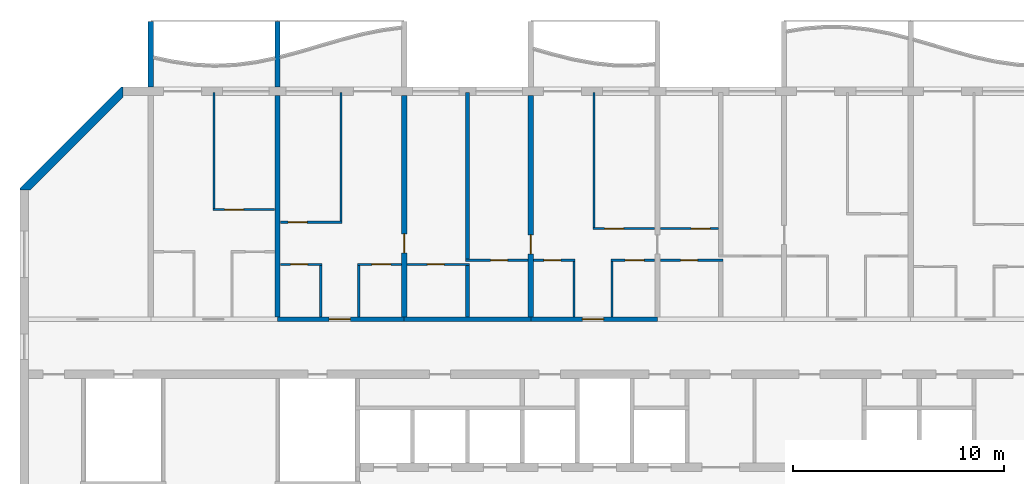
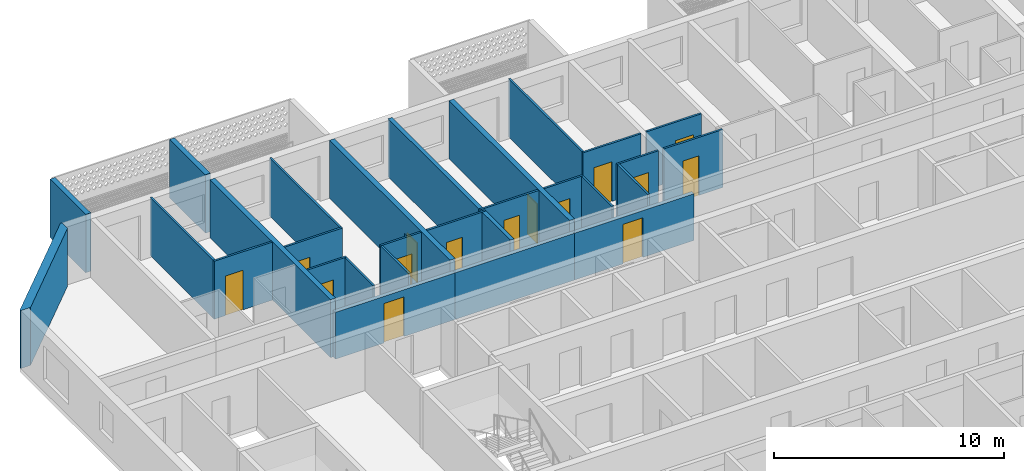
# One storey, part 8 of 28: 29 walls, 15 doors, 15 openings.
"""IFC4 building model written with IfcOpenShell, lengths in metres."""

from ifc_helpers import new_model, si_unit, direction, frame, frame_2d, origin, place, context, subcontext, project, spatial, polyline, rectangle, outline, extrude, source, transform, mapped, material, layer, layer_set, type_object, element, fill, save


model = new_model("IFC4")

# Units and contexts
model_context = context("Model", 3, precision=1e-05, world=origin(), true_north=direction((0.0, 1.0)))
body_context = subcontext(model_context, "Body", "Model", "MODEL_VIEW")
ifc_project = project(units=[si_unit("LENGTHUNIT", "METRE"), si_unit("AREAUNIT", "SQUARE_METRE"), si_unit("VOLUMEUNIT", "CUBIC_METRE"), si_unit("PLANEANGLEUNIT", "RADIAN"), si_unit("MASSUNIT", "GRAM", prefix="KILO")], contexts=[model_context])

# Site, building, storey
site_placement = place(None, origin())
site = spatial("IfcSite", under=ifc_project, at=site_placement, CompositionType="ELEMENT")
building_placement = place(site_placement, origin())
building = spatial("IfcBuilding", under=site, at=building_placement, Name="Poui Terraces", CompositionType="ELEMENT")
storey_placement = place(building_placement, frame((0.0, 0.0, 188.39990234375)))
storey = spatial("IfcBuildingStorey", under=building, at=storey_placement, Name="L52", CompositionType="ELEMENT", Elevation=188.39990234375)

# Wall, opening, door
ifc_material_1 = material(Name="Concrete 50 MPa", Category="concrete")
ifc_layer_1 = layer(ifc_material_1, 0.199951171875)
ifc_layer_set_1 = layer_set([ifc_layer_1], Name="Concrete 50 MPa")
wall_type_1 = type_object("IfcWallType", Name="CORRIDOR WALL 200 50MPa", PredefinedType="SHEAR", material=ifc_layer_set_1)
wall_1_placement = place(storey_placement, frame((30.0, 30.39990234375, 0.0), z_axis=(0.0, 0.0, 1.0), x_axis=(1.0, 0.0, 0.0)))
wall_1 = element("IfcWall", 1, at=wall_1_placement, inside=storey, type_object=wall_type_1, Name="CORRIDOR WALL LINE E BAY 3", PredefinedType="SHEAR", context=body_context, shape_type="SweptSolid", body=[
    extrude(rectangle(XDim=6.0, YDim=0.199951171875, at=frame_2d((3.0, 0.0))), origin(), (0.0, 0.0, 1.0), 2.47998046875),
])
opening_1_placement = place(wall_1_placement, frame((2.449951171875, 0.0, 0.0)))
opening_1 = element("IfcOpeningElement", 2, at=opening_1_placement, cuts=wall_1, Name="Opening FD30S", PredefinedType="OPENING", context=body_context, shape_type="SweptSolid", body=[
    extrude(rectangle(XDim=1.0, YDim=2.10009765625, at=frame_2d((0.5, 1.050048828125))), frame((0.0, 0.10986328125, 0.0), z_axis=(0.0, -1.0, 0.0), x_axis=(1.0, 0.0, 0.0)), (0.0, 0.0, 1.0), 0.219970703125),
])
ifc_material_2 = material(Name="Steel fire door", Category="steel")
door_type_1 = type_object("IfcDoorType", Name="FLAT ENTRANCE DOOR 1000 X 2100", OperationType="NOTDEFINED", PredefinedType="DOOR", material=ifc_material_2)
door_1_placement = place(opening_1_placement, origin())
door_1 = element("IfcDoor", 3, at=door_1_placement, inside=storey, type_object=door_type_1, Name="FLAT ENTRANCE DOOR 034", OperationType="SINGLE_SWING_LEFT", OverallHeight=2.10009765625, OverallWidth=1.0, PredefinedType="DOOR", context=body_context, shape_type="SweptSolid", body=[
    extrude(rectangle(XDim=1.0, YDim=2.10009765625, at=frame_2d((0.5, 1.050048828125))), frame((0.0, 0.02490234375, 0.0), z_axis=(0.0, -1.0, 0.0), x_axis=(1.0, 0.0, 0.0)), (0.0, 0.0, 1.0), 0.050048828125),
])
fill(opening_1, door_1)

# Wall
wall_2_placement = place(storey_placement, frame((36.0, 30.39990234375, 0.0), z_axis=(0.0, 0.0, 1.0), x_axis=(1.0, 0.0, 0.0)))
element("IfcWall", 4, at=wall_2_placement, inside=storey, type_object=wall_type_1, Name="CORRIDOR WALL LINE E BAY 4", PredefinedType="SHEAR", context=body_context, shape_type="SweptSolid", body=[
    extrude(rectangle(XDim=6.0, YDim=0.199951171875, at=frame_2d((3.0, 0.0))), origin(), (0.0, 0.0, 1.0), 2.47998046875),
])

# Wall, opening, door
wall_3_placement = place(storey_placement, frame((42.0, 30.39990234375, 0.0), z_axis=(0.0, 0.0, 1.0), x_axis=(1.0, 0.0, 0.0)))
wall_3 = element("IfcWall", 5, at=wall_3_placement, inside=storey, type_object=wall_type_1, Name="CORRIDOR WALL LINE E BAY 5", PredefinedType="SHEAR", context=body_context, shape_type="SweptSolid", body=[
    extrude(rectangle(XDim=6.0, YDim=0.199951171875, at=frame_2d((3.0, 0.0))), origin(), (0.0, 0.0, 1.0), 2.47998046875),
])
opening_2_placement = place(wall_3_placement, frame((2.449951171875, 0.0, 0.0)))
opening_2 = element("IfcOpeningElement", 6, at=opening_2_placement, cuts=wall_3, Name="Opening FD30S", PredefinedType="OPENING", context=body_context, shape_type="SweptSolid", body=[
    extrude(rectangle(XDim=1.0, YDim=2.10009765625, at=frame_2d((0.5, 1.050048828125))), frame((0.0, 0.10986328125, 0.0), z_axis=(0.0, -1.0, 0.0), x_axis=(1.0, 0.0, 0.0)), (0.0, 0.0, 1.0), 0.219970703125),
])
door_2_placement = place(opening_2_placement, origin())
door_2 = element("IfcDoor", 7, at=door_2_placement, inside=storey, type_object=door_type_1, Name="FLAT ENTRANCE DOOR 042", OperationType="SINGLE_SWING_LEFT", OverallHeight=2.10009765625, OverallWidth=1.0, PredefinedType="DOOR", context=body_context, shape_type="SweptSolid", body=[
    extrude(rectangle(XDim=1.0, YDim=2.10009765625, at=frame_2d((0.5, 1.050048828125))), frame((0.0, 0.02490234375, 0.0), z_axis=(0.0, -1.0, 0.0), x_axis=(1.0, 0.0, 0.0)), (0.0, 0.0, 1.0), 0.050048828125),
])
fill(opening_2, door_2)

# Wall
ifc_layer_2 = layer(ifc_material_1, 0.25)
ifc_layer_set_2 = layer_set([ifc_layer_2], Name="Concrete 50 MPa")
wall_type_2 = type_object("IfcWallType", Name="CROSS WALL 250 50MPa", PredefinedType="SHEAR", material=ifc_layer_set_2)
wall_4_placement = place(storey_placement, frame((30.0, 30.5, 0.0), z_axis=(0.0, 0.0, 1.0), x_axis=(0.0, 1.0, 0.0)))
element("IfcWall", 8, at=wall_4_placement, inside=storey, type_object=wall_type_2, Name="CROSS WALL LINE 6 NORTH", PredefinedType="SHEAR", context=body_context, shape_type="SweptSolid", body=[
    extrude(rectangle(XDim=10.5, YDim=0.25, at=frame_2d((5.25, 0.0))), origin(), (0.0, 0.0, 1.0), 3.080078125),
])

# Wall, opening, door
wall_5_placement = place(storey_placement, frame((36.0, 30.5, 0.0), z_axis=(0.0, 0.0, 1.0), x_axis=(0.0, 1.0, 0.0)))
wall_5 = element("IfcWall", 9, at=wall_5_placement, inside=storey, type_object=wall_type_2, Name="CROSS WALL LINE 7 NORTH", PredefinedType="SHEAR", context=body_context, shape_type="SweptSolid", body=[
    extrude(rectangle(XDim=10.5, YDim=0.25, at=frame_2d((5.25, 0.0))), origin(), (0.0, 0.0, 1.0), 3.080078125),
])
opening_3_placement = place(wall_5_placement, frame((3.050048828125, 0.0, 0.0)))
opening_3 = element("IfcOpeningElement", 10, at=opening_3_placement, cuts=wall_5, Name="Opening D90", PredefinedType="OPENING", context=body_context, shape_type="SweptSolid", body=[
    extrude(rectangle(XDim=0.89990234375, YDim=2.10009765625, at=frame_2d((0.449951171875, 1.050048828125))), frame((0.0, 0.135009765625, 0.0), z_axis=(0.0, -1.0, 0.0), x_axis=(1.0, 0.0, 0.0)), (0.0, 0.0, 1.0), 0.27001953125),
])
ifc_material_3 = material(Name="Solid core timber door", Category="wood")
door_type_2 = type_object("IfcDoorType", Name="INTERNAL DOOR 900 X 2100", OperationType="NOTDEFINED", PredefinedType="DOOR", material=ifc_material_3)
door_3_placement = place(opening_3_placement, frame((0.89990234375, 0.0, 0.0), z_axis=(0.0, 0.0, 1.0), x_axis=(-1.0, 0.0, 0.0)))
door_3 = element("IfcDoor", 11, at=door_3_placement, inside=storey, type_object=door_type_2, Name="INTERNAL DOOR 036", OperationType="SINGLE_SWING_RIGHT", OverallHeight=2.10009765625, OverallWidth=0.89990234375, PredefinedType="DOOR", context=body_context, shape_type="SweptSolid", body=[
    extrude(rectangle(XDim=0.89990234375, YDim=2.10009765625, at=frame_2d((0.449951171875, 1.050048828125))), frame((0.0, 0.02490234375, 0.0), z_axis=(0.0, -1.0, 0.0), x_axis=(1.0, 0.0, 0.0)), (0.0, 0.0, 1.0), 0.050048828125),
])
fill(opening_3, door_3)

wall_6_placement = place(storey_placement, frame((42.0, 30.5, 0.0), z_axis=(0.0, 0.0, 1.0), x_axis=(0.0, 1.0, 0.0)))
wall_6 = element("IfcWall", 12, at=wall_6_placement, inside=storey, type_object=wall_type_2, Name="CROSS WALL LINE 8 NORTH", PredefinedType="SHEAR", context=body_context, shape_type="SweptSolid", body=[
    extrude(rectangle(XDim=10.5, YDim=0.25, at=frame_2d((5.25, 0.0))), origin(), (0.0, 0.0, 1.0), 3.080078125),
])
opening_4_placement = place(wall_6_placement, frame((3.0, 0.0, 0.0)))
opening_4 = element("IfcOpeningElement", 13, at=opening_4_placement, cuts=wall_6, Name="Opening D90", PredefinedType="OPENING", context=body_context, shape_type="SweptSolid", body=[
    extrude(rectangle(XDim=0.89990234375, YDim=2.10009765625, at=frame_2d((0.449951171875, 1.050048828125))), frame((0.0, 0.135009765625, 0.0), z_axis=(0.0, -1.0, 0.0), x_axis=(1.0, 0.0, 0.0)), (0.0, 0.0, 1.0), 0.27001953125),
])
door_4_placement = place(opening_4_placement, origin())
door_4 = element("IfcDoor", 14, at=door_4_placement, inside=storey, type_object=door_type_2, Name="INTERNAL DOOR 040", OperationType="SINGLE_SWING_LEFT", OverallHeight=2.10009765625, OverallWidth=0.89990234375, PredefinedType="DOOR", context=body_context, shape_type="SweptSolid", body=[
    extrude(rectangle(XDim=0.89990234375, YDim=2.10009765625, at=frame_2d((0.449951171875, 1.050048828125))), frame((0.0, 0.02490234375, 0.0), z_axis=(0.0, -1.0, 0.0), x_axis=(1.0, 0.0, 0.0)), (0.0, 0.0, 1.0), 0.050048828125),
])
fill(opening_4, door_4)

ifc_material_4 = material(Name="Plasterboard partition")
ifc_layer_3 = layer(ifc_material_4, 0.10009765625)
ifc_layer_set_3 = layer_set([ifc_layer_3], Name="Plasterboard partition")
wall_type_3 = type_object("IfcWallType", Name="FLAT PARTITION 100", PredefinedType="PARTITIONING", material=ifc_layer_set_3)
wall_7_placement = place(storey_placement, frame((30.135009765625, 33.0, 0.0), z_axis=(0.0, 0.0, 1.0), x_axis=(1.0, 0.0, 0.0)))
wall_7 = element("IfcWall", 15, at=wall_7_placement, inside=storey, type_object=wall_type_3, Name="FLAT PARTITION 100", PredefinedType="PARTITIONING", context=body_context, shape_type="SweptSolid", body=[
    extrude(rectangle(XDim=1.965087890625, YDim=0.10009765625, at=frame_2d((0.982421875, 0.0))), origin(), (0.0, 0.0, 1.0), 3.080078125),
])
opening_5_placement = place(wall_7_placement, frame((0.489990234375, 0.0, 0.0)))
opening_5 = element("IfcOpeningElement", 16, at=opening_5_placement, cuts=wall_7, Name="Opening D80", PredefinedType="OPENING", context=body_context, shape_type="SweptSolid", body=[
    extrude(rectangle(XDim=0.800048828125, YDim=2.10009765625, at=frame_2d((0.39990234375, 1.050048828125))), frame((0.0, 0.06005859375, 0.0), z_axis=(0.0, -1.0, 0.0), x_axis=(1.0, 0.0, 0.0)), (0.0, 0.0, 1.0), 0.1201171875),
])
door_type_3 = type_object("IfcDoorType", Name="BATHROOM, LAUNDRY AND STORE DOOR 800 X 2100", OperationType="NOTDEFINED", PredefinedType="DOOR", material=ifc_material_3)
door_5_placement = place(opening_5_placement, frame((0.800048828125, 0.0, 0.0), z_axis=(0.0, 0.0, 1.0), x_axis=(-1.0, 0.0, 0.0)))
door_5 = element("IfcDoor", 17, at=door_5_placement, inside=storey, type_object=door_type_3, Name="BATHROOM, LAUNDRY AND STORE DOOR 033", OperationType="SINGLE_SWING_RIGHT", OverallHeight=2.10009765625, OverallWidth=0.800048828125, PredefinedType="DOOR", context=body_context, shape_type="SweptSolid", body=[
    extrude(rectangle(XDim=0.800048828125, YDim=2.10009765625, at=frame_2d((0.39990234375, 1.050048828125))), frame((0.0, 0.02490234375, 0.0), z_axis=(0.0, -1.0, 0.0), x_axis=(1.0, 0.0, 0.0)), (0.0, 0.0, 1.0), 0.050048828125),
])
fill(opening_5, door_5)

wall_8_placement = place(storey_placement, frame((33.800048828125, 33.0, 0.0), z_axis=(0.0, 0.0, 1.0), x_axis=(1.0, 0.0, 0.0)))
wall_8 = element("IfcWall", 18, at=wall_8_placement, inside=storey, type_object=wall_type_3, Name="FLAT PARTITION 100", PredefinedType="PARTITIONING", context=body_context, shape_type="SweptSolid", body=[
    extrude(rectangle(XDim=2.06494140625, YDim=0.10009765625, at=frame_2d((1.032470703125, 0.0))), origin(), (0.0, 0.0, 1.0), 3.080078125),
])
opening_6_placement = place(wall_8_placement, frame((0.675048828125, 0.0, 0.0)))
opening_6 = element("IfcOpeningElement", 19, at=opening_6_placement, cuts=wall_8, Name="Opening D90", PredefinedType="OPENING", context=body_context, shape_type="SweptSolid", body=[
    extrude(rectangle(XDim=0.89990234375, YDim=2.10009765625, at=frame_2d((0.449951171875, 1.050048828125))), frame((0.0, 0.06005859375, 0.0), z_axis=(0.0, -1.0, 0.0), x_axis=(1.0, 0.0, 0.0)), (0.0, 0.0, 1.0), 0.1201171875),
])
door_6_placement = place(opening_6_placement, frame((0.89990234375, 0.0, 0.0), z_axis=(0.0, 0.0, 1.0), x_axis=(-1.0, 0.0, 0.0)))
door_6 = element("IfcDoor", 20, at=door_6_placement, inside=storey, type_object=door_type_2, Name="INTERNAL DOOR 035", OperationType="SINGLE_SWING_LEFT", OverallHeight=2.10009765625, OverallWidth=0.89990234375, PredefinedType="DOOR", context=body_context, shape_type="SweptSolid", body=[
    extrude(rectangle(XDim=0.89990234375, YDim=2.10009765625, at=frame_2d((0.449951171875, 1.050048828125))), frame((0.0, 0.02490234375, 0.0), z_axis=(0.0, -1.0, 0.0), x_axis=(1.0, 0.0, 0.0)), (0.0, 0.0, 1.0), 0.050048828125),
])
fill(opening_6, door_6)

wall_9_placement = place(storey_placement, frame((36.135009765625, 33.0, 0.0), z_axis=(0.0, 0.0, 1.0), x_axis=(1.0, 0.0, 0.0)))
wall_9 = element("IfcWall", 21, at=wall_9_placement, inside=storey, type_object=wall_type_3, Name="FLAT PARTITION 100", PredefinedType="PARTITIONING", context=body_context, shape_type="SweptSolid", body=[
    extrude(rectangle(XDim=2.965087890625, YDim=0.10009765625, at=frame_2d((1.482421875, 0.0))), origin(), (0.0, 0.0, 1.0), 3.080078125),
])
opening_7_placement = place(wall_9_placement, frame((0.965087890625, 0.0, 0.0)))
opening_7 = element("IfcOpeningElement", 22, at=opening_7_placement, cuts=wall_9, Name="Opening D80", PredefinedType="OPENING", context=body_context, shape_type="SweptSolid", body=[
    extrude(rectangle(XDim=0.800048828125, YDim=2.10009765625, at=frame_2d((0.39990234375, 1.050048828125))), frame((0.0, 0.06005859375, 0.0), z_axis=(0.0, -1.0, 0.0), x_axis=(1.0, 0.0, 0.0)), (0.0, 0.0, 1.0), 0.1201171875),
])
door_7_placement = place(opening_7_placement, frame((0.800048828125, 0.0, 0.0), z_axis=(0.0, 0.0, 1.0), x_axis=(-1.0, 0.0, 0.0)))
door_7 = element("IfcDoor", 23, at=door_7_placement, inside=storey, type_object=door_type_3, Name="BATHROOM, LAUNDRY AND STORE DOOR 031", OperationType="SINGLE_SWING_RIGHT", OverallHeight=2.10009765625, OverallWidth=0.800048828125, PredefinedType="DOOR", context=body_context, shape_type="SweptSolid", body=[
    extrude(rectangle(XDim=0.800048828125, YDim=2.10009765625, at=frame_2d((0.39990234375, 1.050048828125))), frame((0.0, 0.02490234375, 0.0), z_axis=(0.0, -1.0, 0.0), x_axis=(1.0, 0.0, 0.0)), (0.0, 0.0, 1.0), 0.050048828125),
])
fill(opening_7, door_7)

wall_10_placement = place(storey_placement, frame((38.89990234375, 33.199951171875, 0.0), z_axis=(0.0, 0.0, 1.0), x_axis=(1.0, 0.0, 0.0)))
wall_10 = element("IfcWall", 24, at=wall_10_placement, inside=storey, type_object=wall_type_3, Name="FLAT PARTITION 100", PredefinedType="PARTITIONING", context=body_context, shape_type="SweptSolid", body=[
    extrude(rectangle(XDim=2.965087890625, YDim=0.10009765625, at=frame_2d((1.482421875, 0.0))), origin(), (0.0, 0.0, 1.0), 3.080078125),
])
opening_8_placement = place(wall_10_placement, frame((1.199951171875, 0.0, 0.0)))
opening_8 = element("IfcOpeningElement", 25, at=opening_8_placement, cuts=wall_10, Name="Opening D80", PredefinedType="OPENING", context=body_context, shape_type="SweptSolid", body=[
    extrude(rectangle(XDim=0.800048828125, YDim=2.10009765625, at=frame_2d((0.39990234375, 1.050048828125))), frame((0.0, 0.06005859375, 0.0), z_axis=(0.0, -1.0, 0.0), x_axis=(1.0, 0.0, 0.0)), (0.0, 0.0, 1.0), 0.1201171875),
])
door_8_placement = place(opening_8_placement, frame((0.800048828125, 0.0, 0.0), z_axis=(0.0, 0.0, 1.0), x_axis=(-1.0, 0.0, 0.0)))
door_8 = element("IfcDoor", 26, at=door_8_placement, inside=storey, type_object=door_type_3, Name="BATHROOM, LAUNDRY AND STORE DOOR 037", OperationType="SINGLE_SWING_LEFT", OverallHeight=2.10009765625, OverallWidth=0.800048828125, PredefinedType="DOOR", context=body_context, shape_type="SweptSolid", body=[
    extrude(rectangle(XDim=0.800048828125, YDim=2.10009765625, at=frame_2d((0.39990234375, 1.050048828125))), frame((0.0, 0.02490234375, 0.0), z_axis=(0.0, -1.0, 0.0), x_axis=(1.0, 0.0, 0.0)), (0.0, 0.0, 1.0), 0.050048828125),
])
fill(opening_8, door_8)

wall_11_placement = place(storey_placement, frame((42.135009765625, 33.199951171875, 0.0), z_axis=(0.0, 0.0, 1.0), x_axis=(1.0, 0.0, 0.0)))
wall_11 = element("IfcWall", 27, at=wall_11_placement, inside=storey, type_object=wall_type_3, Name="FLAT PARTITION 100", PredefinedType="PARTITIONING", context=body_context, shape_type="SweptSolid", body=[
    extrude(rectangle(XDim=1.965087890625, YDim=0.10009765625, at=frame_2d((0.982421875, 0.0))), origin(), (0.0, 0.0, 1.0), 3.080078125),
])
opening_9_placement = place(wall_11_placement, frame((0.489990234375, 0.0, 0.0)))
opening_9 = element("IfcOpeningElement", 28, at=opening_9_placement, cuts=wall_11, Name="Opening D80", PredefinedType="OPENING", context=body_context, shape_type="SweptSolid", body=[
    extrude(rectangle(XDim=0.800048828125, YDim=2.10009765625, at=frame_2d((0.39990234375, 1.050048828125))), frame((0.0, 0.06005859375, 0.0), z_axis=(0.0, -1.0, 0.0), x_axis=(1.0, 0.0, 0.0)), (0.0, 0.0, 1.0), 0.1201171875),
])
door_9_placement = place(opening_9_placement, frame((0.800048828125, 0.0, 0.0), z_axis=(0.0, 0.0, 1.0), x_axis=(-1.0, 0.0, 0.0)))
door_9 = element("IfcDoor", 29, at=door_9_placement, inside=storey, type_object=door_type_3, Name="BATHROOM, LAUNDRY AND STORE DOOR 041", OperationType="SINGLE_SWING_LEFT", OverallHeight=2.10009765625, OverallWidth=0.800048828125, PredefinedType="DOOR", context=body_context, shape_type="SweptSolid", body=[
    extrude(rectangle(XDim=0.800048828125, YDim=2.10009765625, at=frame_2d((0.39990234375, 1.050048828125))), frame((0.0, 0.02490234375, 0.0), z_axis=(0.0, -1.0, 0.0), x_axis=(1.0, 0.0, 0.0)), (0.0, 0.0, 1.0), 0.050048828125),
])
fill(opening_9, door_9)

wall_12_placement = place(storey_placement, frame((45.800048828125, 33.199951171875, 0.0), z_axis=(0.0, 0.0, 1.0), x_axis=(1.0, 0.0, 0.0)))
wall_12 = element("IfcWall", 30, at=wall_12_placement, inside=storey, type_object=wall_type_3, Name="FLAT PARTITION 100", PredefinedType="PARTITIONING", context=body_context, shape_type="SweptSolid", body=[
    extrude(rectangle(XDim=2.06494140625, YDim=0.10009765625, at=frame_2d((1.032470703125, 0.0))), origin(), (0.0, 0.0, 1.0), 3.080078125),
])
opening_10_placement = place(wall_12_placement, frame((0.675048828125, 0.0, 0.0)))
opening_10 = element("IfcOpeningElement", 31, at=opening_10_placement, cuts=wall_12, Name="Opening D90", PredefinedType="OPENING", context=body_context, shape_type="SweptSolid", body=[
    extrude(rectangle(XDim=0.89990234375, YDim=2.10009765625, at=frame_2d((0.449951171875, 1.050048828125))), frame((0.0, 0.06005859375, 0.0), z_axis=(0.0, -1.0, 0.0), x_axis=(1.0, 0.0, 0.0)), (0.0, 0.0, 1.0), 0.1201171875),
])
door_10_placement = place(opening_10_placement, frame((0.89990234375, 0.0, 0.0), z_axis=(0.0, 0.0, 1.0), x_axis=(-1.0, 0.0, 0.0)))
door_10 = element("IfcDoor", 32, at=door_10_placement, inside=storey, type_object=door_type_2, Name="INTERNAL DOOR 044", OperationType="SINGLE_SWING_RIGHT", OverallHeight=2.10009765625, OverallWidth=0.89990234375, PredefinedType="DOOR", context=body_context, shape_type="SweptSolid", body=[
    extrude(rectangle(XDim=0.89990234375, YDim=2.10009765625, at=frame_2d((0.449951171875, 1.050048828125))), frame((0.0, 0.02490234375, 0.0), z_axis=(0.0, -1.0, 0.0), x_axis=(1.0, 0.0, 0.0)), (0.0, 0.0, 1.0), 0.050048828125),
])
fill(opening_10, door_10)

wall_13_placement = place(storey_placement, frame((48.135009765625, 33.199951171875, 0.0), z_axis=(0.0, 0.0, 1.0), x_axis=(1.0, 0.0, 0.0)))
wall_13 = element("IfcWall", 33, at=wall_13_placement, inside=storey, type_object=wall_type_3, Name="FLAT PARTITION 100", PredefinedType="PARTITIONING", context=body_context, shape_type="SweptSolid", body=[
    extrude(rectangle(XDim=2.965087890625, YDim=0.10009765625, at=frame_2d((1.482421875, 0.0))), origin(), (0.0, 0.0, 1.0), 3.080078125),
])
opening_11_placement = place(wall_13_placement, frame((0.965087890625, 0.0, 0.0)))
opening_11 = element("IfcOpeningElement", 34, at=opening_11_placement, cuts=wall_13, Name="Opening D80", PredefinedType="OPENING", context=body_context, shape_type="SweptSolid", body=[
    extrude(rectangle(XDim=0.800048828125, YDim=2.10009765625, at=frame_2d((0.39990234375, 1.050048828125))), frame((0.0, 0.06005859375, 0.0), z_axis=(0.0, -1.0, 0.0), x_axis=(1.0, 0.0, 0.0)), (0.0, 0.0, 1.0), 0.1201171875),
])
door_11_placement = place(opening_11_placement, frame((0.800048828125, 0.0, 0.0), z_axis=(0.0, 0.0, 1.0), x_axis=(-1.0, 0.0, 0.0)))
door_11 = element("IfcDoor", 35, at=door_11_placement, inside=storey, type_object=door_type_3, Name="BATHROOM, LAUNDRY AND STORE DOOR 038", OperationType="SINGLE_SWING_RIGHT", OverallHeight=2.10009765625, OverallWidth=0.800048828125, PredefinedType="DOOR", context=body_context, shape_type="SweptSolid", body=[
    extrude(rectangle(XDim=0.800048828125, YDim=2.10009765625, at=frame_2d((0.39990234375, 1.050048828125))), frame((0.0, 0.02490234375, 0.0), z_axis=(0.0, -1.0, 0.0), x_axis=(1.0, 0.0, 0.0)), (0.0, 0.0, 1.0), 0.050048828125),
])
fill(opening_11, door_11)

wall_14_placement = place(storey_placement, frame((44.949951171875, 34.699951171875, 0.0), z_axis=(0.0, 0.0, 1.0), x_axis=(1.0, 0.0, 0.0)))
wall_14 = element("IfcWall", 36, at=wall_14_placement, inside=storey, type_object=wall_type_3, Name="FLAT PARTITION 100", PredefinedType="PARTITIONING", context=body_context, shape_type="SweptSolid", body=[
    extrude(rectangle(XDim=2.9150390625, YDim=0.10009765625, at=frame_2d((1.45751953125, 0.0))), origin(), (0.0, 0.0, 1.0), 3.080078125),
])
opening_12_placement = place(wall_14_placement, frame((0.550048828125, 0.0, 0.0)))
opening_12 = element("IfcOpeningElement", 37, at=opening_12_placement, cuts=wall_14, Name="Opening D90", PredefinedType="OPENING", context=body_context, shape_type="SweptSolid", body=[
    extrude(rectangle(XDim=0.89990234375, YDim=2.10009765625, at=frame_2d((0.449951171875, 1.050048828125))), frame((0.0, 0.06005859375, 0.0), z_axis=(0.0, -1.0, 0.0), x_axis=(1.0, 0.0, 0.0)), (0.0, 0.0, 1.0), 0.1201171875),
])
door_12_placement = place(opening_12_placement, frame((0.89990234375, 0.0, 0.0), z_axis=(0.0, 0.0, 1.0), x_axis=(-1.0, 0.0, 0.0)))
door_12 = element("IfcDoor", 38, at=door_12_placement, inside=storey, type_object=door_type_2, Name="INTERNAL DOOR 043", OperationType="SINGLE_SWING_LEFT", OverallHeight=2.10009765625, OverallWidth=0.89990234375, PredefinedType="DOOR", context=body_context, shape_type="SweptSolid", body=[
    extrude(rectangle(XDim=0.89990234375, YDim=2.10009765625, at=frame_2d((0.449951171875, 1.050048828125))), frame((0.0, 0.02490234375, 0.0), z_axis=(0.0, -1.0, 0.0), x_axis=(1.0, 0.0, 0.0)), (0.0, 0.0, 1.0), 0.050048828125),
])
fill(opening_12, door_12)

wall_15_placement = place(storey_placement, frame((48.135009765625, 34.699951171875, 0.0), z_axis=(0.0, 0.0, 1.0), x_axis=(1.0, 0.0, 0.0)))
wall_15 = element("IfcWall", 39, at=wall_15_placement, inside=storey, type_object=wall_type_3, Name="FLAT PARTITION 100", PredefinedType="PARTITIONING", context=body_context, shape_type="SweptSolid", body=[
    extrude(rectangle(XDim=2.764892578125, YDim=0.10009765625, at=frame_2d((1.38232421875, 0.0))), origin(), (0.0, 0.0, 1.0), 3.080078125),
])
opening_13_placement = place(wall_15_placement, frame((1.465087890625, 0.0, 0.0)))
opening_13 = element("IfcOpeningElement", 40, at=opening_13_placement, cuts=wall_15, Name="Opening D90", PredefinedType="OPENING", context=body_context, shape_type="SweptSolid", body=[
    extrude(rectangle(XDim=0.89990234375, YDim=2.10009765625, at=frame_2d((0.449951171875, 1.050048828125))), frame((0.0, 0.06005859375, 0.0), z_axis=(0.0, -1.0, 0.0), x_axis=(1.0, 0.0, 0.0)), (0.0, 0.0, 1.0), 0.1201171875),
])
door_13_placement = place(opening_13_placement, origin())
door_13 = element("IfcDoor", 41, at=door_13_placement, inside=storey, type_object=door_type_2, Name="INTERNAL DOOR 039", OperationType="SINGLE_SWING_RIGHT", OverallHeight=2.10009765625, OverallWidth=0.89990234375, PredefinedType="DOOR", context=body_context, shape_type="SweptSolid", body=[
    extrude(rectangle(XDim=0.89990234375, YDim=2.10009765625, at=frame_2d((0.449951171875, 1.050048828125))), frame((0.0, 0.02490234375, 0.0), z_axis=(0.0, -1.0, 0.0), x_axis=(1.0, 0.0, 0.0)), (0.0, 0.0, 1.0), 0.050048828125),
])
fill(opening_13, door_13)

wall_16_placement = place(storey_placement, frame((30.135009765625, 35.0, 0.0), z_axis=(0.0, 0.0, 1.0), x_axis=(1.0, 0.0, 0.0)))
wall_16 = element("IfcWall", 42, at=wall_16_placement, inside=storey, type_object=wall_type_3, Name="FLAT PARTITION 100", PredefinedType="PARTITIONING", context=body_context, shape_type="SweptSolid", body=[
    extrude(rectangle(XDim=2.9150390625, YDim=0.10009765625, at=frame_2d((1.45751953125, 0.0))), origin(), (0.0, 0.0, 1.0), 3.080078125),
])
opening_14_placement = place(wall_16_placement, frame((0.364990234375, 0.0, 0.0)))
opening_14 = element("IfcOpeningElement", 43, at=opening_14_placement, cuts=wall_16, Name="Opening D90", PredefinedType="OPENING", context=body_context, shape_type="SweptSolid", body=[
    extrude(rectangle(XDim=0.89990234375, YDim=2.10009765625, at=frame_2d((0.449951171875, 1.050048828125))), frame((0.0, 0.06005859375, 0.0), z_axis=(0.0, -1.0, 0.0), x_axis=(1.0, 0.0, 0.0)), (0.0, 0.0, 1.0), 0.1201171875),
])
door_14_placement = place(opening_14_placement, frame((0.89990234375, 0.0, 0.0), z_axis=(0.0, 0.0, 1.0), x_axis=(-1.0, 0.0, 0.0)))
door_14 = element("IfcDoor", 44, at=door_14_placement, inside=storey, type_object=door_type_2, Name="INTERNAL DOOR 032", OperationType="SINGLE_SWING_LEFT", OverallHeight=2.10009765625, OverallWidth=0.89990234375, PredefinedType="DOOR", context=body_context, shape_type="SweptSolid", body=[
    extrude(rectangle(XDim=0.89990234375, YDim=2.10009765625, at=frame_2d((0.449951171875, 1.050048828125))), frame((0.0, 0.02490234375, 0.0), z_axis=(0.0, -1.0, 0.0), x_axis=(1.0, 0.0, 0.0)), (0.0, 0.0, 1.0), 0.050048828125),
])
fill(opening_14, door_14)

wall_17_placement = place(storey_placement, frame((26.949951171875, 35.60009765625, 0.0), z_axis=(0.0, 0.0, 1.0), x_axis=(1.0, 0.0, 0.0)))
wall_17 = element("IfcWall", 45, at=wall_17_placement, inside=storey, type_object=wall_type_3, Name="FLAT PARTITION 100", PredefinedType="PARTITIONING", context=body_context, shape_type="SweptSolid", body=[
    extrude(rectangle(XDim=2.9150390625, YDim=0.10009765625, at=frame_2d((1.45751953125, 0.0))), origin(), (0.0, 0.0, 1.0), 3.080078125),
])
opening_15_placement = place(wall_17_placement, frame((0.550048828125, 0.0, 0.0)))
opening_15 = element("IfcOpeningElement", 46, at=opening_15_placement, cuts=wall_17, Name="Opening D90", PredefinedType="OPENING", context=body_context, shape_type="SweptSolid", body=[
    extrude(rectangle(XDim=0.89990234375, YDim=2.10009765625, at=frame_2d((0.449951171875, 1.050048828125))), frame((0.0, 0.06005859375, 0.0), z_axis=(0.0, -1.0, 0.0), x_axis=(1.0, 0.0, 0.0)), (0.0, 0.0, 1.0), 0.1201171875),
])
door_15_placement = place(opening_15_placement, frame((0.89990234375, 0.0, 0.0), z_axis=(0.0, 0.0, 1.0), x_axis=(-1.0, 0.0, 0.0)))
door_15 = element("IfcDoor", 47, at=door_15_placement, inside=storey, type_object=door_type_2, Name="INTERNAL DOOR 029", OperationType="SINGLE_SWING_LEFT", OverallHeight=2.10009765625, OverallWidth=0.89990234375, PredefinedType="DOOR", context=body_context, shape_type="SweptSolid", body=[
    extrude(rectangle(XDim=0.89990234375, YDim=2.10009765625, at=frame_2d((0.449951171875, 1.050048828125))), frame((0.0, 0.02490234375, 0.0), z_axis=(0.0, -1.0, 0.0), x_axis=(1.0, 0.0, 0.0)), (0.0, 0.0, 1.0), 0.050048828125),
])
fill(opening_15, door_15)

# Walls
wall_18_placement = place(storey_placement, frame((27.0, 35.64990234375, 0.0), z_axis=(0.0, 0.0, 1.0), x_axis=(0.0, 1.0, 0.0)))
element("IfcWall", 48, at=wall_18_placement, inside=storey, type_object=wall_type_3, Name="FLAT PARTITION 100", PredefinedType="PARTITIONING", context=body_context, shape_type="SweptSolid", body=[
    extrude(rectangle(XDim=5.489990234375, YDim=0.10009765625, at=frame_2d((2.7451171875, 0.0))), origin(), (0.0, 0.0, 1.0), 3.080078125),
])
wall_19_placement = place(storey_placement, frame((32.050048828125, 30.510009765625, 0.0), z_axis=(0.0, 0.0, 1.0), x_axis=(0.0, 1.0, 0.0)))
element("IfcWall", 49, at=wall_19_placement, inside=storey, type_object=wall_type_3, Name="FLAT PARTITION 100", PredefinedType="PARTITIONING", context=body_context, shape_type="SweptSolid", body=[
    extrude(rectangle(XDim=2.43994140625, YDim=0.10009765625, at=frame_2d((1.219970703125, 0.0))), origin(), (0.0, 0.0, 1.0), 3.080078125),
])
wall_20_placement = place(storey_placement, frame((33.0, 35.050048828125, 0.0), z_axis=(0.0, 0.0, 1.0), x_axis=(0.0, 1.0, 0.0)))
element("IfcWall", 50, at=wall_20_placement, inside=storey, type_object=wall_type_3, Name="FLAT PARTITION 100", PredefinedType="PARTITIONING", context=body_context, shape_type="SweptSolid", body=[
    extrude(rectangle(XDim=6.08984375, YDim=0.10009765625, at=frame_2d((3.044921875, 0.0))), origin(), (0.0, 0.0, 1.0), 3.080078125),
])
wall_21_placement = place(storey_placement, frame((33.85009765625, 30.510009765625, 0.0), z_axis=(0.0, 0.0, 1.0), x_axis=(0.0, 1.0, 0.0)))
element("IfcWall", 51, at=wall_21_placement, inside=storey, type_object=wall_type_3, Name="FLAT PARTITION 100", PredefinedType="PARTITIONING", context=body_context, shape_type="SweptSolid", body=[
    extrude(rectangle(XDim=2.43994140625, YDim=0.10009765625, at=frame_2d((1.219970703125, 0.0))), origin(), (0.0, 0.0, 1.0), 3.080078125),
])
wall_22_placement = place(storey_placement, frame((44.050048828125, 30.510009765625, 0.0), z_axis=(0.0, 0.0, 1.0), x_axis=(0.0, 1.0, 0.0)))
element("IfcWall", 52, at=wall_22_placement, inside=storey, type_object=wall_type_3, Name="FLAT PARTITION 100", PredefinedType="PARTITIONING", context=body_context, shape_type="SweptSolid", body=[
    extrude(rectangle(XDim=2.639892578125, YDim=0.10009765625, at=frame_2d((1.31982421875, 0.0))), origin(), (0.0, 0.0, 1.0), 3.080078125),
])
wall_23_placement = place(storey_placement, frame((45.0, 34.75, 0.0), z_axis=(0.0, 0.0, 1.0), x_axis=(0.0, 1.0, 0.0)))
element("IfcWall", 53, at=wall_23_placement, inside=storey, type_object=wall_type_3, Name="FLAT PARTITION 100", PredefinedType="PARTITIONING", context=body_context, shape_type="SweptSolid", body=[
    extrude(rectangle(XDim=6.389892578125, YDim=0.10009765625, at=frame_2d((3.19482421875, 0.0))), origin(), (0.0, 0.0, 1.0), 3.080078125),
])
wall_24_placement = place(storey_placement, frame((45.85009765625, 30.510009765625, 0.0), z_axis=(0.0, 0.0, 1.0), x_axis=(0.0, 1.0, 0.0)))
element("IfcWall", 54, at=wall_24_placement, inside=storey, type_object=wall_type_3, Name="FLAT PARTITION 100", PredefinedType="PARTITIONING", context=body_context, shape_type="SweptSolid", body=[
    extrude(rectangle(XDim=2.639892578125, YDim=0.10009765625, at=frame_2d((1.31982421875, 0.0))), origin(), (0.0, 0.0, 1.0), 3.080078125),
])
ifc_material_5 = material(Name="Fire-rated masonry wall", Category="masonry")
ifc_layer_4 = layer(ifc_material_5, 0.199951171875)
ifc_layer_set_4 = layer_set([ifc_layer_4], Name="Fire-rated masonry wall")
wall_type_4 = type_object("IfcWallType", Name="FLAT PARTY WALL 200", PredefinedType="PARTITIONING", material=ifc_layer_set_4)
wall_25_placement = place(storey_placement, frame((39.0, 30.510009765625, 0.0), z_axis=(0.0, 0.0, 1.0), x_axis=(0.0, 1.0, 0.0)))
element("IfcWall", 55, at=wall_25_placement, inside=storey, type_object=wall_type_4, Name="FLAT PARTY WALL 200", PredefinedType="PARTITIONING", context=body_context, shape_type="SweptSolid", body=[
    extrude(rectangle(XDim=2.43994140625, YDim=0.199951171875, at=frame_2d((1.219970703125, 0.0))), origin(), (0.0, 0.0, 1.0), 3.080078125),
])
wall_26_placement = place(storey_placement, frame((39.0, 33.25, 0.0), z_axis=(0.0, 0.0, 1.0), x_axis=(0.0, 1.0, 0.0)))
element("IfcWall", 56, at=wall_26_placement, inside=storey, type_object=wall_type_4, Name="FLAT PARTY WALL 200", PredefinedType="PARTITIONING", context=body_context, shape_type="SweptSolid", body=[
    extrude(rectangle(XDim=7.889892578125, YDim=0.199951171875, at=frame_2d((3.94482421875, 0.0))), origin(), (0.0, 0.0, 1.0), 3.080078125),
])
ifc_material_6 = material(Name="Precast concrete 40 MPa", Category="concrete")
ifc_layer_5 = layer(ifc_material_6, 0.39990234375)
ifc_layer_set_5 = layer_set([ifc_layer_5], Name="Precast concrete 40 MPa")
wall_type_5 = type_object("IfcWallType", Name="TERRACOTTA CLAD CHAMFER WALL 400", PredefinedType="STANDARD", material=ifc_layer_set_5)
wall_27_placement = place(storey_placement, origin())
element("IfcWall", 57, at=wall_27_placement, inside=storey, type_object=wall_type_5, Name="CHAMFER WALL CH05", PredefinedType="STANDARD", context=body_context, shape_type="SweptSolid", body=[
    extrude(outline(polyline([(22.682861328125, 41.39990234375), (22.60009765625, 41.39990234375), (17.800048828125, 36.60009765625), (17.800048828125, 36.51708984375), (18.28271484375, 36.51708984375), (22.682861328125, 40.917236328125), (22.682861328125, 41.39990234375)])), origin(), (0.0, 0.0, 1.0), 3.080078125),
])
ifc_layer_6 = layer(ifc_material_6, 0.25)
ifc_layer_set_6 = layer_set([ifc_layer_6], Name="Precast concrete 40 MPa")
wall_type_6 = type_object("IfcWallType", Name="BALCONY FIN 250", PredefinedType="STANDARD", material=ifc_layer_set_6)
shared_shape = source(origin(), body_context, "Body", "SweptSolid", [
    extrude(outline(polyline([(0.0, 0.0), (0.25, 0.0), (0.25, 3.10009765625), (0.0, 3.10009765625), (0.0, 0.0)])), origin(), (0.0, 0.0, 1.0), 3.10009765625),
])
for number, where, name in (
    (58, (23.875, 41.39990234375, 0.0), "BALCONY FIN"),
    (59, (29.875, 41.39990234375, 0.0), "BALCONY FIN"),
):
    element("IfcWall", number, at=place(storey_placement, frame(where)), inside=storey, type_object=wall_type_6, Name=name, PredefinedType="STANDARD", context=body_context, shape_type="MappedRepresentation", body=[
        mapped(shared_shape, transform((0.0, 0.0, 0.0))),
    ])

save(model, "model.ifc")
